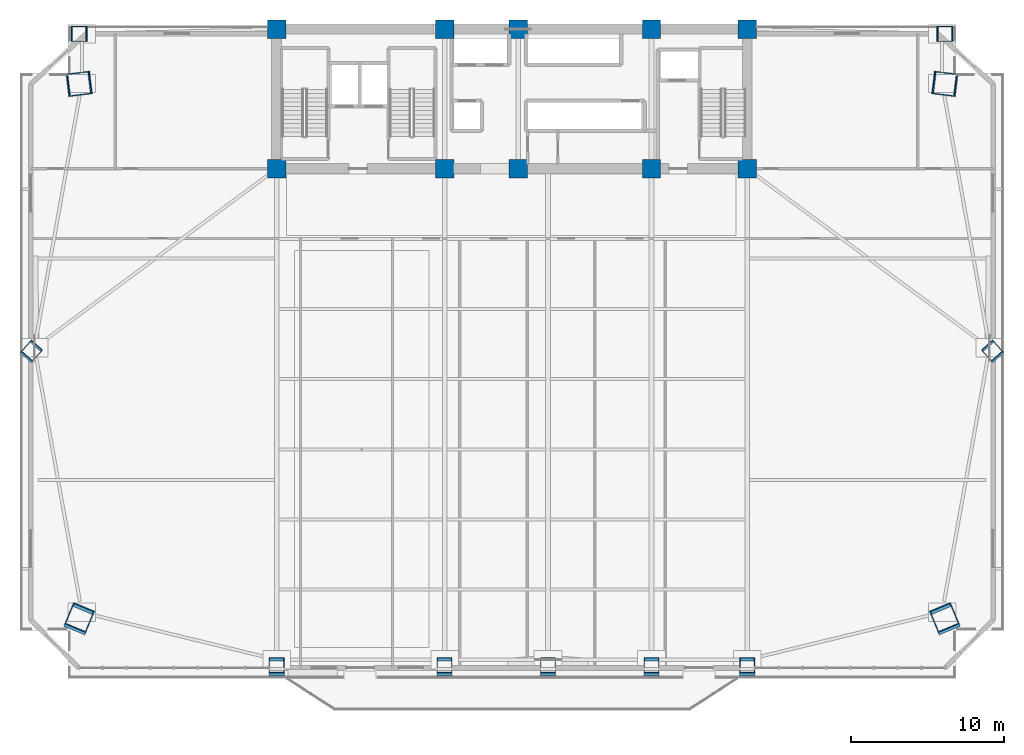
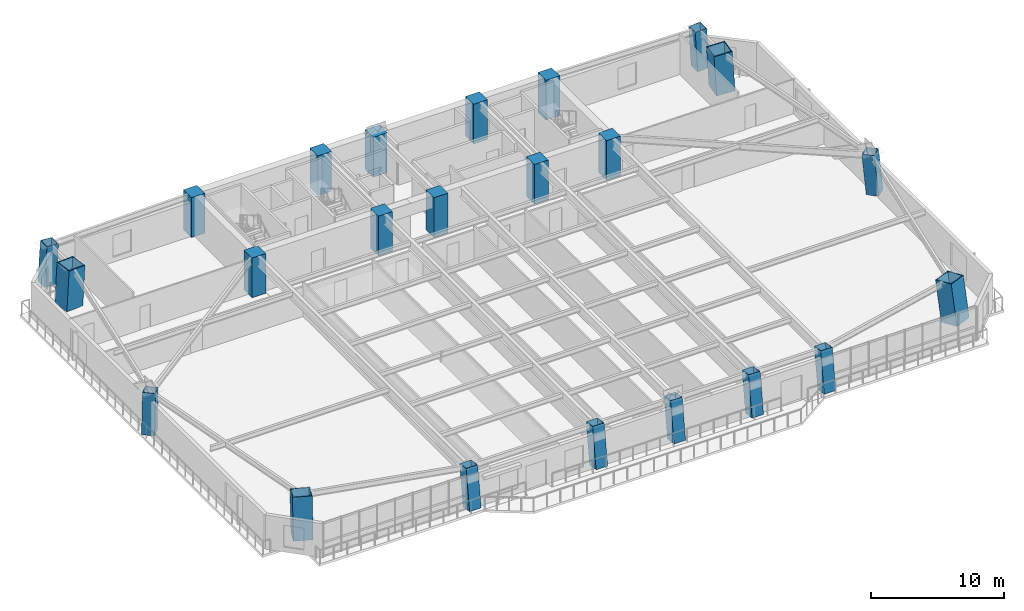
# One storey, part 1 of 18: 23 columns.
"""IFC4 building model written with IfcOpenShell, lengths in metres."""

import ifcopenshell
import ifcopenshell.guid

model = None  # the IFC model being written
_history = None  # IfcOwnerHistory: only IFC2X3 demands one
_inside = {}  # id of a spatial element -> (the spatial element, [elements in it])
_under = {}  # id of a project, library or spatial element -> (it, [spatial elements below it])
_declared = {}  # id of a project -> (the project, [libraries it declares])
_typed = {}  # id of a type object -> (the type object, [elements of that type])
_made_of = {}  # id of a material, layer set ... -> (it, [elements and type objects made of it])


def new_model(schema):
    """Start an empty IFC model of exactly this schema.

    Asked for "IFC4X3", IfcOpenShell would pick the latest addendum, in which some entities
    have other attributes; the version numbers below select the first issue.
    IFC2X3 requires an IfcOwnerHistory on every rooted entity: one is made here for all.
    """
    global model, _history
    if schema == "IFC4X3":
        model = ifcopenshell.file(schema_version=(4, 3, 0, 0))
    else:
        model = ifcopenshell.file(schema=schema)
    _inside.clear()
    _under.clear()
    _declared.clear()
    _typed.clear()
    _made_of.clear()
    _history = None
    if model.schema == "IFC2X3":
        org = make("IfcOrganization", Name="unknown")
        user = make(
            "IfcPersonAndOrganization",
            ThePerson=make("IfcPerson", FamilyName="unknown"),
            TheOrganization=org,
        )
        app = make(
            "IfcApplication",
            ApplicationDeveloper=org,
            Version="unknown",
            ApplicationFullName="unknown",
            ApplicationIdentifier="unknown",
        )
        _history = make(
            "IfcOwnerHistory",
            OwningUser=user,
            OwningApplication=app,
            ChangeAction="ADDED",
            CreationDate=0,
        )
    return model


def make(cls, **values):
    """One entity of the class cls with the attributes given. An attribute that is None is left unset."""
    return model.create_entity(
        cls, **{name: value for name, value in values.items() if value is not None}
    )


def rooted(cls, **values):
    """An entity with a GlobalId (a new one), such as an element, a storey or a relation."""
    return make(cls, GlobalId=ifcopenshell.guid.new(), OwnerHistory=_history, **values)


def si_unit(unit_type, name, prefix=None):
    """IfcSIUnit, for example si_unit("LENGTHUNIT", "METRE", prefix="MILLI")."""
    return make("IfcSIUnit", UnitType=unit_type, Prefix=prefix, Name=name)


def assignment(units):
    """IfcUnitAssignment: the units of a project."""
    return None if units is None else make("IfcUnitAssignment", Units=units)


def point(xyz):
    """IfcCartesianPoint."""
    return None if xyz is None else make("IfcCartesianPoint", Coordinates=xyz)


def direction(xyz):
    """IfcDirection."""
    return None if xyz is None else make("IfcDirection", DirectionRatios=xyz)


def frame(location, z_axis=None, x_axis=None):
    """IfcAxis2Placement3D, a coordinate frame: its origin and axes. An axis left out is left unset."""
    return make(
        "IfcAxis2Placement3D",
        Location=point(location),
        Axis=direction(z_axis),
        RefDirection=direction(x_axis),
    )


def frame_2d(location, x_axis=None):
    """IfcAxis2Placement2D, a coordinate frame in the plane: its origin and x axis."""
    return make(
        "IfcAxis2Placement2D", Location=point(location), RefDirection=direction(x_axis)
    )


def origin():
    """The frame at (0, 0, 0) with its axes left unset."""
    return frame((0.0, 0.0, 0.0))


def origin_2d():
    """The frame at (0, 0) in the plane with its x axis left unset."""
    return frame_2d((0.0, 0.0))


def place(relative_to, where):
    """IfcLocalPlacement: puts the frame where relative to a parent placement (None: the world)."""
    return make(
        "IfcLocalPlacement", PlacementRelTo=relative_to, RelativePlacement=where
    )


def context(
    kind, dimensions, precision=None, world=None, true_north=None, identifier=None
):
    """IfcGeometricRepresentationContext, for example the 3D "Model" context."""
    return make(
        "IfcGeometricRepresentationContext",
        ContextIdentifier=identifier,
        ContextType=kind,
        CoordinateSpaceDimension=dimensions,
        Precision=precision,
        WorldCoordinateSystem=world,
        TrueNorth=true_north,
    )


def subcontext(parent, identifier, kind, view, scale=None):
    """IfcGeometricRepresentationSubContext, for example "Body" below "Model"."""
    return make(
        "IfcGeometricRepresentationSubContext",
        ContextIdentifier=identifier,
        ContextType=kind,
        ParentContext=parent,
        TargetScale=scale,
        TargetView=view,
    )


def project(units=None, contexts=None):
    """IfcProject with its units and contexts."""
    return rooted(
        "IfcProject",
        Name="project",
        RepresentationContexts=contexts,
        UnitsInContext=assignment(units),
    )


def spatial(cls, under=None, at=None, **own):
    """A site, building, storey or space (cls), placed at a placement, below another one or the project."""
    s = rooted(cls, ObjectPlacement=at, **own)
    if under is not None:
        _under.setdefault(under.id(), (under, []))[1].append(s)
    return s


def profile(cls, at=None, kind="AREA", **sizes):
    """A parametric profile (cls). Its sizes go by their IFC names, for example OverallWidth=200.0."""
    return make(cls, ProfileType=kind, Position=at, **sizes)


def rectangle(**sizes):
    """IfcRectangleProfileDef."""
    return profile("IfcRectangleProfileDef", **sizes)


def hollow_rectangle(**sizes):
    """IfcRectangleHollowProfileDef."""
    return profile("IfcRectangleHollowProfileDef", **sizes)


def extrude(swept, where, along, depth):
    """IfcExtrudedAreaSolid: the profile swept, set in the frame where, extruded along a direction by depth."""
    return make(
        "IfcExtrudedAreaSolid",
        SweptArea=swept,
        Position=where,
        ExtrudedDirection=direction(along),
        Depth=depth,
    )


def shape(context_of_items, identifier, shape_type, items):
    """IfcShapeRepresentation: the items that make up one representation, for example the "Body"."""
    return make(
        "IfcShapeRepresentation",
        ContextOfItems=context_of_items,
        RepresentationIdentifier=identifier,
        RepresentationType=shape_type,
        Items=items,
    )


def source(mapping_origin, context_of_items, identifier, shape_type, items):
    """IfcRepresentationMap: a shape defined once, which mapped items show again and again."""
    return make(
        "IfcRepresentationMap",
        MappingOrigin=mapping_origin,
        MappedRepresentation=shape(context_of_items, identifier, shape_type, items),
    )


def transform(
    local_origin,
    x_axis=None,
    y_axis=None,
    z_axis=None,
    scale=None,
    scale2=None,
    scale3=None,
    uniform=True,
):
    """IfcCartesianTransformationOperator3D, or its non-uniform kind. x_axis, y_axis, z_axis: its Axis1, 2, 3."""
    if uniform:
        return make(
            "IfcCartesianTransformationOperator3D",
            Axis1=direction(x_axis),
            Axis2=direction(y_axis),
            LocalOrigin=point(local_origin),
            Scale=scale,
            Axis3=direction(z_axis),
        )
    return make(
        "IfcCartesianTransformationOperator3DnonUniform",
        Axis1=direction(x_axis),
        Axis2=direction(y_axis),
        LocalOrigin=point(local_origin),
        Scale=scale,
        Axis3=direction(z_axis),
        Scale2=scale2,
        Scale3=scale3,
    )


def mapped(mapping_source, mapping_target):
    """IfcMappedItem: shows the shape of a source again, moved by a transform."""
    return make(
        "IfcMappedItem", MappingSource=mapping_source, MappingTarget=mapping_target
    )


def material(Name=None, Category=None):
    """IfcMaterial."""
    return make("IfcMaterial", Name=Name, Category=Category)


def material_profile(
    of_material, cross_section, Name=None, Category=None, Priority=None
):
    """IfcMaterialProfile: a cross section and its material."""
    return make(
        "IfcMaterialProfile",
        Name=Name,
        Material=of_material,
        Profile=cross_section,
        Priority=Priority,
        Category=Category,
    )


def profile_set(profiles, Name=None, composite=None):
    """IfcMaterialProfileSet."""
    return make(
        "IfcMaterialProfileSet",
        Name=Name,
        MaterialProfiles=profiles,
        CompositeProfile=composite,
    )


def made_of(thing, what):
    """Note that an element or type object is made of a material, layer set ...; save() writes the relation."""
    if what is not None:
        _made_of.setdefault(what.id(), (what, []))[1].append(thing)
    return thing


def type_object(cls, material=None, **own):
    """A type object (cls), such as IfcWallType, which elements share."""
    return made_of(rooted(cls, **own), material)


def element(
    cls,
    number,
    at=None,
    inside=None,
    cuts=None,
    type_object=None,
    material=None,
    context=None,
    identifier="Body",
    shape_type=None,
    held_by="IfcProductDefinitionShape",
    body=None,
    shapes=None,
    **own,
):
    """One element of the class cls, such as IfcWall. Its Tag is "e" and its number.

    at: its placement. inside: the storey or other place that contains it. cuts: it is an
    opening in that element (IfcRelVoidsElement). A single representation is given by context,
    identifier, shape_type and body (its items); several are given by shapes. held_by: the class
    of the entity that holds the representations. save() writes the other relations.
    """
    e = rooted(cls, Tag="e%d" % number, ObjectPlacement=at, **own)
    if body is not None:
        shapes = [shape(context, identifier, shape_type, body)]
    if shapes is not None:
        e.Representation = make(held_by, Representations=shapes)
    if inside is not None:
        _inside.setdefault(inside.id(), (inside, []))[1].append(e)
    if cuts is not None:
        rooted(
            "IfcRelVoidsElement", RelatingBuildingElement=cuts, RelatedOpeningElement=e
        )
    if type_object is not None:
        _typed.setdefault(type_object.id(), (type_object, []))[1].append(e)
    return made_of(e, material)


def aggregate(whole, parts):
    """IfcRelAggregates: a whole, such as a stair, and the parts it consists of."""
    return rooted("IfcRelAggregates", RelatingObject=whole, RelatedObjects=parts)


def save(model, path):
    """Write the relations noted so far, then the file.

    IfcRelAggregates (storeys below a building ...), IfcRelContainedInSpatialStructure (elements
    in a storey), IfcRelDefinesByType, IfcRelAssociatesMaterial and IfcRelDeclares: one each for
    every whole, place, type object, material and project.
    """
    for whole, parts in _under.values():
        aggregate(whole, parts)
    for where, things in _inside.values():
        rooted(
            "IfcRelContainedInSpatialStructure",
            RelatedElements=things,
            RelatingStructure=where,
        )
    for kind, things in _typed.values():
        rooted("IfcRelDefinesByType", RelatedObjects=things, RelatingType=kind)
    for what, things in _made_of.values():
        rooted("IfcRelAssociatesMaterial", RelatedObjects=things, RelatingMaterial=what)
    for by, libraries in _declared.values():
        rooted("IfcRelDeclares", RelatingContext=by, RelatedDefinitions=libraries)
    model.write(path)


model = new_model("IFC4")

# Units and contexts
model_context = context("Model", 3, precision=1e-05, world=origin(), true_north=direction((0.0, 1.0)))
body_context = subcontext(model_context, "Body", "Model", "MODEL_VIEW")
ifc_project = project(units=[si_unit("LENGTHUNIT", "METRE"), si_unit("AREAUNIT", "SQUARE_METRE"), si_unit("VOLUMEUNIT", "CUBIC_METRE"), si_unit("PLANEANGLEUNIT", "RADIAN"), si_unit("MASSUNIT", "GRAM", prefix="KILO")], contexts=[model_context])

# Site, building, storey
site_placement = place(None, origin())
site = spatial("IfcSite", under=ifc_project, at=site_placement, CompositionType="ELEMENT")
building_placement = place(site_placement, origin())
building = spatial("IfcBuilding", under=site, at=building_placement, Name="Giltprow Tower", CompositionType="ELEMENT")
storey_placement = place(building_placement, frame((0.0, 0.0, 68.89990234375)))
storey = spatial("IfcBuildingStorey", under=building, at=storey_placement, Name="L17", CompositionType="ELEMENT", Elevation=68.89990234375)

# Columns
ifc_material_1 = material(Name="Concrete C60", Category="concrete")
ifc_material_profile_1 = material_profile(ifc_material_1, rectangle(XDim=1.199951171875, YDim=1.199951171875, at=origin_2d()), Name="RC 1200x1200")
ifc_profile_set_1 = profile_set([ifc_material_profile_1], Name="Concrete C60")
column_type_1 = type_object("IfcColumnType", Name="PIL-RC-1200-C60", PredefinedType="PILASTER", material=ifc_profile_set_1)
shared_shape_1 = source(origin(), body_context, "Body", "SweptSolid", [
    extrude(rectangle(XDim=1.199951171875, YDim=1.199951171875, at=origin_2d()), origin(), (0.0, 0.0, 1.0), 3.64013671875),
])
for number, where, z_axis, x_axis, name in (
    (1, (19.85009765625, 37.449951171875, 0.0), (0.0, 0.0, 1.0), (1.0, 0.0, 0.0), "L17 Core Boundary Pilaster 1-1"),
    (2, (19.85009765625, 46.550048828125, 0.0), (0.0, 0.0, 1.0), (1.0, 0.0, 0.0), "L17 Core Boundary Pilaster 1-2"),
    (3, (30.800048828125, 37.449951171875, 0.0), (0.0, 0.0, 1.0), (1.0, 0.0, 0.0), "L17 Core Boundary Pilaster 2-1"),
    (4, (30.800048828125, 46.550048828125, 0.0), (0.0, 0.0, 1.0), (1.0, 0.0, 0.0), "L17 Core Boundary Pilaster 2-2"),
    (5, (35.60009765625, 37.449951171875, 0.0), (0.0, 0.0, 1.0), (1.0, 0.0, 0.0), "L17 Core Boundary Pilaster 3-1"),
    (6, (35.60009765625, 46.550048828125, 0.0), (0.0, 0.0, 1.0), (1.0, 0.0, 0.0), "L17 Core Boundary Pilaster 3-2"),
    (7, (44.300048828125, 37.449951171875, 0.0), (0.0, 0.0, 1.0), (1.0, 0.0, 0.0), "L17 Core Boundary Pilaster 4-1"),
    (8, (44.300048828125, 46.550048828125, 0.0), (0.0, 0.0, 1.0), (1.0, 0.0, 0.0), "L17 Core Boundary Pilaster 4-2"),
    (9, (50.550048828125, 37.449951171875, 0.0), (0.0, 0.0, 1.0), (1.0, 0.0, 0.0), "L17 Core Boundary Pilaster 5-1"),
    (10, (50.550048828125, 46.550048828125, 0.0), (0.0, 0.0, 1.0), (1.0, 0.0, 0.0), "L17 Core Boundary Pilaster 5-2"),
):
    element("IfcColumn", number, at=place(storey_placement, frame(where, z_axis=z_axis, x_axis=x_axis)), inside=storey, type_object=column_type_1, Name=name, PredefinedType="PILASTER", context=body_context, shape_type="MappedRepresentation", body=[
        mapped(shared_shape_1, transform((0.0, 0.0, 0.0), x_axis=(1.0, 0.0, 0.0), y_axis=(0.0, 1.0, 0.0), z_axis=(0.0, 0.0, 1.0), scale=1.0)),
    ])
ifc_material_2 = material(Name="Structural steel Q420GJC", Category="steel")
ifc_material_profile_2 = material_profile(ifc_material_2, hollow_rectangle(XDim=1.5, YDim=1.5, WallThickness=0.070068359375, at=origin_2d()), Name="BOX 1500x1500x70")
ifc_profile_set_2 = profile_set([ifc_material_profile_2], Name="Structural steel Q420GJC")
column_type_2 = type_object("IfcColumnType", Name="COL-BOX-1500x1500x70", PredefinedType="COLUMN", material=ifc_profile_set_2)
shared_shape_2 = source(origin(), body_context, "Body", "SweptSolid", [
    extrude(hollow_rectangle(XDim=1.5, YDim=1.5, WallThickness=0.070068359375, at=origin_2d()), origin(), (0.0, 0.0, 1.0), 3.680419921875),
])
for number, where, z_axis, x_axis, name in (
    (11, (6.927001953125, 8.00390625, 0.0), (0.056783263254, 0.136120626399, 0.989063615792), (-0.922917163749, 0.384998582929, 0.0), "L17 Mega-Column MC_SW"),
    (12, (63.47412109375, 8.00390625, 0.0), (-0.05684938458, 0.13612011337, 0.98905988808), (-0.922757300744, -0.385381582231, 0.0), "L17 Mega-Column MC_SE"),
):
    element("IfcColumn", number, at=place(storey_placement, frame(where, z_axis=z_axis, x_axis=x_axis)), inside=storey, type_object=column_type_2, Name=name, PredefinedType="COLUMN", context=body_context, shape_type="MappedRepresentation", body=[
        mapped(shared_shape_2, transform((0.0, 0.0, 0.0), x_axis=(1.0, 0.0, 0.0), y_axis=(0.0, 1.0, 0.0), z_axis=(0.0, 0.0, 1.0), scale=1.0)),
    ])
shared_shape_3 = source(origin(), body_context, "Body", "SweptSolid", [
    extrude(hollow_rectangle(XDim=1.5, YDim=1.5, WallThickness=0.070068359375, at=origin_2d()), origin(), (0.0, 0.0, 1.0), 3.646240234375),
])
for number, where, z_axis, x_axis, name in (
    (13, (6.927001953125, 42.97802734375, 0.0), (0.057315308419, 0.007097456416, 0.998330897816), (-0.122893119903, 0.992419911671, 0.0), "L17 Mega-Column MC_NW"),
    (14, (63.47412109375, 42.97802734375, 0.0), (-0.057382045214, 0.007097429163, 0.998327064336), (-0.122751882683, -0.992437391122, 0.0), "L17 Mega-Column MC_NE"),
):
    element("IfcColumn", number, at=place(storey_placement, frame(where, z_axis=z_axis, x_axis=x_axis)), inside=storey, type_object=column_type_2, Name=name, PredefinedType="COLUMN", context=body_context, shape_type="MappedRepresentation", body=[
        mapped(shared_shape_3, transform((0.0, 0.0, 0.0), x_axis=(1.0, 0.0, 0.0), y_axis=(0.0, 1.0, 0.0), z_axis=(0.0, 0.0, 1.0), scale=1.0)),
    ])
ifc_material_profile_3 = material_profile(ifc_material_2, hollow_rectangle(XDim=1.0, YDim=1.0, WallThickness=0.044921875, at=origin_2d()), Name="BOX 1000x1000x45")
ifc_profile_set_3 = profile_set([ifc_material_profile_3], Name="Structural steel Q420GJC")
column_type_3 = type_object("IfcColumnType", Name="COL-BOX-1000x1000x45", PredefinedType="COLUMN", material=ifc_profile_set_3)
shared_shape_4 = source(origin(), body_context, "Body", "SweptSolid", [
    extrude(hollow_rectangle(XDim=1.0, YDim=1.0, WallThickness=0.044921875, at=origin_2d()), origin(), (0.0, 0.0, 1.0), 3.677978515625),
])
for number, where, z_axis, x_axis, name in (
    (15, (19.85009765625, 4.882080078125, 0.0), (0.0, 0.1432425138, 0.989687618514), (-1.0, 0.0, 0.0), "L17 Perimeter Column S1"),
    (16, (30.800048828125, 4.882080078125, 0.0), (0.0, 0.1432425138, 0.989687618514), (-1.0, 0.0, 0.0), "L17 Perimeter Column S2"),
    (17, (37.550048828125, 4.882080078125, 0.0), (0.0, 0.1432425138, 0.989687618514), (-1.0, 0.0, 0.0), "L17 Perimeter Column S_MID"),
    (18, (44.300048828125, 4.882080078125, 0.0), (0.0, 0.1432425138, 0.989687618514), (-1.0, 0.0, 0.0), "L17 Perimeter Column S3"),
    (19, (50.550048828125, 4.882080078125, 0.0), (0.0, 0.1432425138, 0.989687618514), (-1.0, 0.0, 0.0), "L17 Perimeter Column S4"),
):
    element("IfcColumn", number, at=place(storey_placement, frame(where, z_axis=z_axis, x_axis=x_axis)), inside=storey, type_object=column_type_3, Name=name, PredefinedType="COLUMN", context=body_context, shape_type="MappedRepresentation", body=[
        mapped(shared_shape_4, transform((0.0, 0.0, 0.0), x_axis=(1.0, 0.0, 0.0), y_axis=(0.0, 1.0, 0.0), z_axis=(0.0, 0.0, 1.0), scale=1.0)),
    ])
shared_shape_5 = source(origin(), body_context, "Body", "SweptSolid", [
    extrude(hollow_rectangle(XDim=1.0, YDim=1.0, WallThickness=0.044921875, at=origin_2d()), origin(), (0.0, 0.0, 1.0), 3.6572265625),
])
for number, where, z_axis, x_axis, name in (
    (20, (3.804931640625, 25.490966796875, 0.0), (0.064285194335, 0.072162300183, 0.995319052476), (-0.746684793699, 0.66517803546, 0.0), "L17 Perimeter Column W_MID"),
    (21, (66.595947265625, 25.490966796875, 0.0), (-0.064218714644, 0.072162609699, 0.995323321565), (-0.747027925172, -0.664792658664, 0.0), "L17 Perimeter Column E_MID"),
):
    element("IfcColumn", number, at=place(storey_placement, frame(where, z_axis=z_axis, x_axis=x_axis)), inside=storey, type_object=column_type_3, Name=name, PredefinedType="COLUMN", context=body_context, shape_type="MappedRepresentation", body=[
        mapped(shared_shape_5, transform((0.0, 0.0, 0.0), x_axis=(1.0, 0.0, 0.0), y_axis=(0.0, 1.0, 0.0), z_axis=(0.0, 0.0, 1.0), scale=1.0)),
    ])
shared_shape_6 = source(origin(), body_context, "Body", "SweptSolid", [
    extrude(hollow_rectangle(XDim=1.0, YDim=1.0, WallThickness=0.044921875, at=origin_2d()), origin(), (0.0, 0.0, 1.0), 3.646240234375),
])
for number, where, z_axis, x_axis, name in (
    (22, (6.927001953125, 46.25, 0.0), (0.057316752071, 0.0, 0.99835604367), (0.0, 1.0, 0.0), "L17 Perimeter Column N_W"),
    (23, (63.47412109375, 46.25, 0.0), (-0.057383490536, 0.0, 0.998352209901), (0.0, -1.0, 0.0), "L17 Perimeter Column N_E"),
):
    element("IfcColumn", number, at=place(storey_placement, frame(where, z_axis=z_axis, x_axis=x_axis)), inside=storey, type_object=column_type_3, Name=name, PredefinedType="COLUMN", context=body_context, shape_type="MappedRepresentation", body=[
        mapped(shared_shape_6, transform((0.0, 0.0, 0.0), x_axis=(1.0, 0.0, 0.0), y_axis=(0.0, 1.0, 0.0), z_axis=(0.0, 0.0, 1.0), scale=1.0)),
    ])

save(model, "model.ifc")
